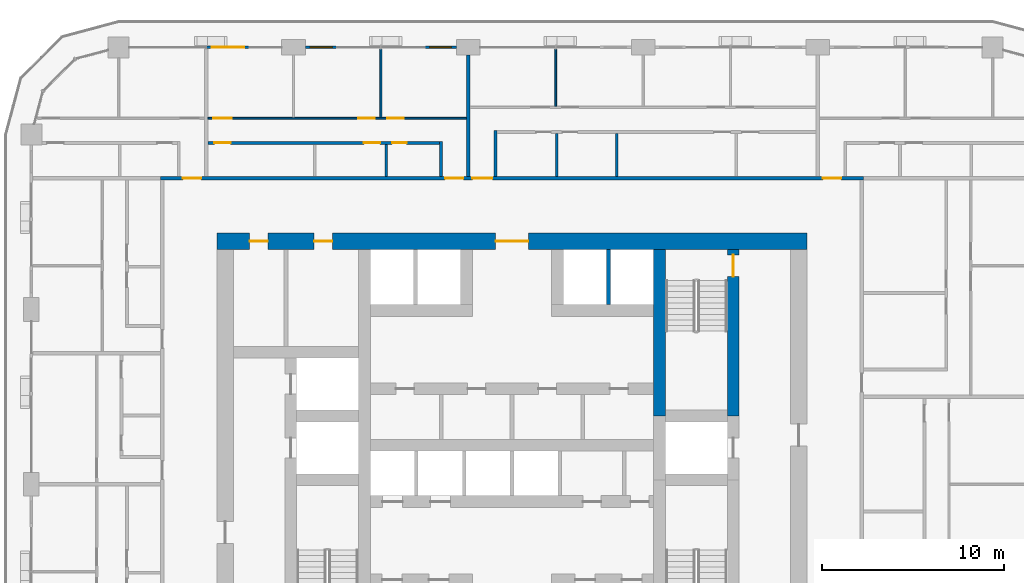
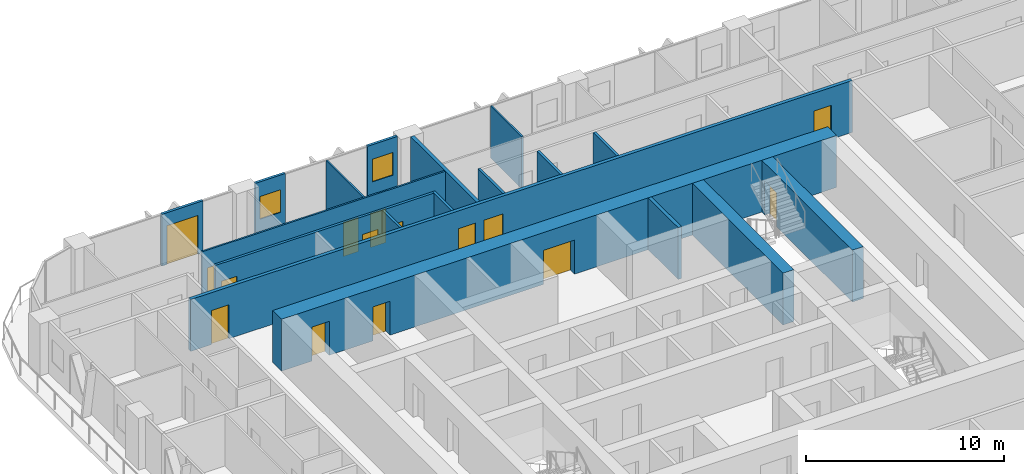
# One storey, part 14 of 22: 18 walls, 15 doors, 2 windows, 17 openings.
"""IFC4 building model written with IfcOpenShell, lengths in metres."""

import ifcopenshell
import ifcopenshell.guid

model = None  # the IFC model being written
_history = None  # IfcOwnerHistory: only IFC2X3 demands one
_inside = {}  # id of a spatial element -> (the spatial element, [elements in it])
_under = {}  # id of a project, library or spatial element -> (it, [spatial elements below it])
_declared = {}  # id of a project -> (the project, [libraries it declares])
_typed = {}  # id of a type object -> (the type object, [elements of that type])
_made_of = {}  # id of a material, layer set ... -> (it, [elements and type objects made of it])


def new_model(schema):
    """Start an empty IFC model of exactly this schema.

    Asked for "IFC4X3", IfcOpenShell would pick the latest addendum, in which some entities
    have other attributes; the version numbers below select the first issue.
    IFC2X3 requires an IfcOwnerHistory on every rooted entity: one is made here for all.
    """
    global model, _history
    if schema == "IFC4X3":
        model = ifcopenshell.file(schema_version=(4, 3, 0, 0))
    else:
        model = ifcopenshell.file(schema=schema)
    _inside.clear()
    _under.clear()
    _declared.clear()
    _typed.clear()
    _made_of.clear()
    _history = None
    if model.schema == "IFC2X3":
        org = make("IfcOrganization", Name="unknown")
        user = make(
            "IfcPersonAndOrganization",
            ThePerson=make("IfcPerson", FamilyName="unknown"),
            TheOrganization=org,
        )
        app = make(
            "IfcApplication",
            ApplicationDeveloper=org,
            Version="unknown",
            ApplicationFullName="unknown",
            ApplicationIdentifier="unknown",
        )
        _history = make(
            "IfcOwnerHistory",
            OwningUser=user,
            OwningApplication=app,
            ChangeAction="ADDED",
            CreationDate=0,
        )
    return model


def make(cls, **values):
    """One entity of the class cls with the attributes given. An attribute that is None is left unset."""
    return model.create_entity(
        cls, **{name: value for name, value in values.items() if value is not None}
    )


def rooted(cls, **values):
    """An entity with a GlobalId (a new one), such as an element, a storey or a relation."""
    return make(cls, GlobalId=ifcopenshell.guid.new(), OwnerHistory=_history, **values)


def si_unit(unit_type, name, prefix=None):
    """IfcSIUnit, for example si_unit("LENGTHUNIT", "METRE", prefix="MILLI")."""
    return make("IfcSIUnit", UnitType=unit_type, Prefix=prefix, Name=name)


def assignment(units):
    """IfcUnitAssignment: the units of a project."""
    return None if units is None else make("IfcUnitAssignment", Units=units)


def point(xyz):
    """IfcCartesianPoint."""
    return None if xyz is None else make("IfcCartesianPoint", Coordinates=xyz)


def direction(xyz):
    """IfcDirection."""
    return None if xyz is None else make("IfcDirection", DirectionRatios=xyz)


def frame(location, z_axis=None, x_axis=None):
    """IfcAxis2Placement3D, a coordinate frame: its origin and axes. An axis left out is left unset."""
    return make(
        "IfcAxis2Placement3D",
        Location=point(location),
        Axis=direction(z_axis),
        RefDirection=direction(x_axis),
    )


def frame_2d(location, x_axis=None):
    """IfcAxis2Placement2D, a coordinate frame in the plane: its origin and x axis."""
    return make(
        "IfcAxis2Placement2D", Location=point(location), RefDirection=direction(x_axis)
    )


def origin():
    """The frame at (0, 0, 0) with its axes left unset."""
    return frame((0.0, 0.0, 0.0))


def place(relative_to, where):
    """IfcLocalPlacement: puts the frame where relative to a parent placement (None: the world)."""
    return make(
        "IfcLocalPlacement", PlacementRelTo=relative_to, RelativePlacement=where
    )


def context(
    kind, dimensions, precision=None, world=None, true_north=None, identifier=None
):
    """IfcGeometricRepresentationContext, for example the 3D "Model" context."""
    return make(
        "IfcGeometricRepresentationContext",
        ContextIdentifier=identifier,
        ContextType=kind,
        CoordinateSpaceDimension=dimensions,
        Precision=precision,
        WorldCoordinateSystem=world,
        TrueNorth=true_north,
    )


def subcontext(parent, identifier, kind, view, scale=None):
    """IfcGeometricRepresentationSubContext, for example "Body" below "Model"."""
    return make(
        "IfcGeometricRepresentationSubContext",
        ContextIdentifier=identifier,
        ContextType=kind,
        ParentContext=parent,
        TargetScale=scale,
        TargetView=view,
    )


def project(units=None, contexts=None):
    """IfcProject with its units and contexts."""
    return rooted(
        "IfcProject",
        Name="project",
        RepresentationContexts=contexts,
        UnitsInContext=assignment(units),
    )


def spatial(cls, under=None, at=None, **own):
    """A site, building, storey or space (cls), placed at a placement, below another one or the project."""
    s = rooted(cls, ObjectPlacement=at, **own)
    if under is not None:
        _under.setdefault(under.id(), (under, []))[1].append(s)
    return s


def profile(cls, at=None, kind="AREA", **sizes):
    """A parametric profile (cls). Its sizes go by their IFC names, for example OverallWidth=200.0."""
    return make(cls, ProfileType=kind, Position=at, **sizes)


def rectangle(**sizes):
    """IfcRectangleProfileDef."""
    return profile("IfcRectangleProfileDef", **sizes)


def extrude(swept, where, along, depth):
    """IfcExtrudedAreaSolid: the profile swept, set in the frame where, extruded along a direction by depth."""
    return make(
        "IfcExtrudedAreaSolid",
        SweptArea=swept,
        Position=where,
        ExtrudedDirection=direction(along),
        Depth=depth,
    )


def shape(context_of_items, identifier, shape_type, items):
    """IfcShapeRepresentation: the items that make up one representation, for example the "Body"."""
    return make(
        "IfcShapeRepresentation",
        ContextOfItems=context_of_items,
        RepresentationIdentifier=identifier,
        RepresentationType=shape_type,
        Items=items,
    )


def material(Name=None, Category=None):
    """IfcMaterial."""
    return make("IfcMaterial", Name=Name, Category=Category)


def layer(
    of_material, thickness, ventilated=None, Name=None, Category=None, Priority=None
):
    """IfcMaterialLayer: one layer of a wall or slab, of a material (None: an air gap)."""
    return make(
        "IfcMaterialLayer",
        Material=of_material,
        LayerThickness=thickness,
        IsVentilated=ventilated,
        Name=Name,
        Category=Category,
        Priority=Priority,
    )


def layer_set(layers, Name=None):
    """IfcMaterialLayerSet."""
    return make("IfcMaterialLayerSet", MaterialLayers=layers, LayerSetName=Name)


def made_of(thing, what):
    """Note that an element or type object is made of a material, layer set ...; save() writes the relation."""
    if what is not None:
        _made_of.setdefault(what.id(), (what, []))[1].append(thing)
    return thing


def type_object(cls, material=None, **own):
    """A type object (cls), such as IfcWallType, which elements share."""
    return made_of(rooted(cls, **own), material)


def element(
    cls,
    number,
    at=None,
    inside=None,
    cuts=None,
    type_object=None,
    material=None,
    context=None,
    identifier="Body",
    shape_type=None,
    held_by="IfcProductDefinitionShape",
    body=None,
    shapes=None,
    **own,
):
    """One element of the class cls, such as IfcWall. Its Tag is "e" and its number.

    at: its placement. inside: the storey or other place that contains it. cuts: it is an
    opening in that element (IfcRelVoidsElement). A single representation is given by context,
    identifier, shape_type and body (its items); several are given by shapes. held_by: the class
    of the entity that holds the representations. save() writes the other relations.
    """
    e = rooted(cls, Tag="e%d" % number, ObjectPlacement=at, **own)
    if body is not None:
        shapes = [shape(context, identifier, shape_type, body)]
    if shapes is not None:
        e.Representation = make(held_by, Representations=shapes)
    if inside is not None:
        _inside.setdefault(inside.id(), (inside, []))[1].append(e)
    if cuts is not None:
        rooted(
            "IfcRelVoidsElement", RelatingBuildingElement=cuts, RelatedOpeningElement=e
        )
    if type_object is not None:
        _typed.setdefault(type_object.id(), (type_object, []))[1].append(e)
    return made_of(e, material)


def fill(opening, filler):
    """IfcRelFillsElement: the door or window that sits in an opening."""
    return rooted(
        "IfcRelFillsElement",
        RelatingOpeningElement=opening,
        RelatedBuildingElement=filler,
    )


def aggregate(whole, parts):
    """IfcRelAggregates: a whole, such as a stair, and the parts it consists of."""
    return rooted("IfcRelAggregates", RelatingObject=whole, RelatedObjects=parts)


def save(model, path):
    """Write the relations noted so far, then the file.

    IfcRelAggregates (storeys below a building ...), IfcRelContainedInSpatialStructure (elements
    in a storey), IfcRelDefinesByType, IfcRelAssociatesMaterial and IfcRelDeclares: one each for
    every whole, place, type object, material and project.
    """
    for whole, parts in _under.values():
        aggregate(whole, parts)
    for where, things in _inside.values():
        rooted(
            "IfcRelContainedInSpatialStructure",
            RelatedElements=things,
            RelatingStructure=where,
        )
    for kind, things in _typed.values():
        rooted("IfcRelDefinesByType", RelatedObjects=things, RelatingType=kind)
    for what, things in _made_of.values():
        rooted("IfcRelAssociatesMaterial", RelatedObjects=things, RelatingMaterial=what)
    for by, libraries in _declared.values():
        rooted("IfcRelDeclares", RelatingContext=by, RelatedDefinitions=libraries)
    model.write(path)


model = new_model("IFC4")

# Units and contexts
model_context = context("Model", 3, precision=1e-05, world=origin(), true_north=direction((0.0, 1.0)))
body_context = subcontext(model_context, "Body", "Model", "MODEL_VIEW")
ifc_project = project(units=[si_unit("LENGTHUNIT", "METRE"), si_unit("AREAUNIT", "SQUARE_METRE"), si_unit("VOLUMEUNIT", "CUBIC_METRE"), si_unit("PLANEANGLEUNIT", "RADIAN"), si_unit("MASSUNIT", "GRAM", prefix="KILO")], contexts=[model_context])

# Site, building, storey
site_placement = place(None, origin())
site = spatial("IfcSite", under=ifc_project, at=site_placement, CompositionType="ELEMENT")
building_placement = place(site_placement, origin())
building = spatial("IfcBuilding", under=site, at=building_placement, Name="Madar Terraces", CompositionType="ELEMENT")
storey_placement = place(building_placement, frame((0.0, 0.0, 59.300048828125)))
storey = spatial("IfcBuildingStorey", under=building, at=storey_placement, Name="L14", CompositionType="ELEMENT", Elevation=59.300048828125)

# Wall
ifc_material_1 = material(Name="Concrete C80/95", Category="concrete")
ifc_layer_1 = layer(ifc_material_1, 0.64990234375)
ifc_layer_set_1 = layer_set([ifc_layer_1], Name="Concrete C80/95 (CIW2 RC wall 650)")
wall_type_1 = type_object("IfcWallType", Name="CIW2 RC wall 650", PredefinedType="SHEAR", material=ifc_layer_set_1)
wall_1_placement = place(storey_placement, frame((39.300048828125, 27.75, 0.0), z_axis=(0.0, 0.0, 1.0), x_axis=(0.0, 1.0, 0.0)))
element("IfcWall", 1, at=wall_1_placement, inside=storey, type_object=wall_type_1, Name="CORE SHAFT WALL", PredefinedType="SHEAR", context=body_context, shape_type="SweptSolid", body=[
    extrude(rectangle(XDim=9.14990234375, YDim=0.64990234375, at=frame_2d((4.574951171875, 0.0))), origin(), (0.0, 0.0, 1.0), 3.199951171875),
])

# Wall, opening, door
wall_2_placement = place(storey_placement, frame((43.35009765625, 27.75, 0.0), z_axis=(0.0, 0.0, 1.0), x_axis=(0.0, 1.0, 0.0)))
wall_2 = element("IfcWall", 2, at=wall_2_placement, inside=storey, type_object=wall_type_1, Name="CORE SHAFT WALL", PredefinedType="SHEAR", context=body_context, shape_type="SweptSolid", body=[
    extrude(rectangle(XDim=9.14990234375, YDim=0.64990234375, at=frame_2d((4.574951171875, 0.0))), origin(), (0.0, 0.0, 1.0), 3.199951171875),
])
opening_1_placement = place(wall_2_placement, frame((7.64990234375, 0.0, 0.0)))
opening_1 = element("IfcOpeningElement", 3, at=opening_1_placement, cuts=wall_2, Name="Opening SD1", PredefinedType="OPENING", context=body_context, shape_type="SweptSolid", body=[
    extrude(rectangle(XDim=1.199951171875, YDim=2.10009765625, at=frame_2d((0.60009765625, 1.050048828125))), frame((0.0, 0.3349609375, 0.0), z_axis=(0.0, -1.0, 0.0), x_axis=(1.0, 0.0, 0.0)), (0.0, 0.0, 1.0), 0.669921875),
])
ifc_material_2 = material(Name="Steel door leaf", Category="steel")
door_type_1 = type_object("IfcDoorType", Name="Stair door 1200 x 2100", OperationType="NOTDEFINED", PredefinedType="DOOR", material=ifc_material_2)
door_1_placement = place(opening_1_placement, origin())
door_1 = element("IfcDoor", 4, at=door_1_placement, inside=storey, type_object=door_type_1, Name="STAIR DOOR", OperationType="SINGLE_SWING_RIGHT", OverallHeight=2.10009765625, OverallWidth=1.199951171875, PredefinedType="DOOR", context=body_context, shape_type="SweptSolid", body=[
    extrude(rectangle(XDim=1.199951171875, YDim=2.10009765625, at=frame_2d((0.60009765625, 1.050048828125))), frame((0.0, 0.02490234375, 0.0), z_axis=(0.0, -1.0, 0.0), x_axis=(1.0, 0.0, 0.0)), (0.0, 0.0, 1.0), 0.050048828125),
])
fill(opening_1, door_1)

# Wall, openings, doors
ifc_material_3 = material(Name="Concrete C80/95", Category="concrete")
ifc_layer_2 = layer(ifc_material_3, 0.89990234375)
ifc_layer_set_2 = layer_set([ifc_layer_2], Name="Concrete C80/95 (CRW2 RC wall 900)")
wall_type_2 = type_object("IfcWallType", Name="CRW2 RC wall 900", PredefinedType="SHEAR", material=ifc_layer_set_2)
wall_3_placement = place(storey_placement, frame((15.0, 37.35009765625, 0.0), z_axis=(0.0, 0.0, 1.0), x_axis=(1.0, 0.0, 0.0)))
wall_3 = element("IfcWall", 5, at=wall_3_placement, inside=storey, type_object=wall_type_2, Name="CORE OUTER WALL", PredefinedType="SHEAR", context=body_context, shape_type="SweptSolid", body=[
    extrude(rectangle(XDim=32.39990234375, YDim=0.89990234375, at=frame_2d((16.199951171875, 0.0))), origin(), (0.0, 0.0, 1.0), 3.199951171875),
])
opening_2_placement = place(wall_3_placement, frame((15.300048828125, 0.0, 0.0)))
opening_2 = element("IfcOpeningElement", 6, at=opening_2_placement, cuts=wall_3, Name="Opening KD1", PredefinedType="OPENING", context=body_context, shape_type="SweptSolid", body=[
    extrude(rectangle(XDim=1.800048828125, YDim=2.10009765625, at=frame_2d((0.89990234375, 1.050048828125))), frame((0.0, 0.4599609375, 0.0), z_axis=(0.0, -1.0, 0.0), x_axis=(1.0, 0.0, 0.0)), (0.0, 0.0, 1.0), 0.919921875),
])
opening_3_placement = place(wall_3_placement, frame((1.793701171875, 0.0, 0.0)))
opening_3 = element("IfcOpeningElement", 7, at=opening_3_placement, cuts=wall_3, Name="Opening KD2", PredefinedType="OPENING", context=body_context, shape_type="SweptSolid", body=[
    extrude(rectangle(XDim=1.0, YDim=2.10009765625, at=frame_2d((0.5, 1.050048828125))), frame((0.0, 0.4599609375, 0.0), z_axis=(0.0, -1.0, 0.0), x_axis=(1.0, 0.0, 0.0)), (0.0, 0.0, 1.0), 0.919921875),
])
opening_4_placement = place(wall_3_placement, frame((5.331298828125, 0.0, 0.0)))
opening_4 = element("IfcOpeningElement", 8, at=opening_4_placement, cuts=wall_3, Name="Opening KD2", PredefinedType="OPENING", context=body_context, shape_type="SweptSolid", body=[
    extrude(rectangle(XDim=1.0, YDim=2.10009765625, at=frame_2d((0.5, 1.050048828125))), frame((0.0, 0.4599609375, 0.0), z_axis=(0.0, -1.0, 0.0), x_axis=(1.0, 0.0, 0.0)), (0.0, 0.0, 1.0), 0.919921875),
])
ifc_material_4 = material(Name="Steel door leaf", Category="steel")
door_type_2 = type_object("IfcDoorType", Name="Lobby door pair 1800 x 2100", OperationType="DOUBLE_DOOR_SINGLE_SWING", PredefinedType="DOOR", material=ifc_material_4)
door_2_placement = place(opening_2_placement, origin())
door_2 = element("IfcDoor", 9, at=door_2_placement, inside=storey, type_object=door_type_2, Name="LIFT LOBBY DOOR", OperationType="DOUBLE_DOOR_SINGLE_SWING", OverallHeight=2.10009765625, OverallWidth=1.800048828125, PredefinedType="DOOR", context=body_context, shape_type="SweptSolid", body=[
    extrude(rectangle(XDim=1.800048828125, YDim=2.10009765625, at=frame_2d((0.89990234375, 1.050048828125))), frame((0.0, 0.02490234375, 0.0), z_axis=(0.0, -1.0, 0.0), x_axis=(1.0, 0.0, 0.0)), (0.0, 0.0, 1.0), 0.050048828125),
])
fill(opening_2, door_2)
ifc_material_5 = material(Name="Steel door leaf", Category="steel")
door_type_3 = type_object("IfcDoorType", Name="Service room door 1000 x 2100", OperationType="NOTDEFINED", PredefinedType="DOOR", material=ifc_material_5)
door_3_placement = place(opening_3_placement, origin())
door_3 = element("IfcDoor", 10, at=door_3_placement, inside=storey, type_object=door_type_3, Name="SERVICE ROOM DOOR", OperationType="SINGLE_SWING_LEFT", OverallHeight=2.10009765625, OverallWidth=1.0, PredefinedType="DOOR", context=body_context, shape_type="SweptSolid", body=[
    extrude(rectangle(XDim=1.0, YDim=2.10009765625, at=frame_2d((0.5, 1.050048828125))), frame((0.0, 0.02490234375, 0.0), z_axis=(0.0, -1.0, 0.0), x_axis=(1.0, 0.0, 0.0)), (0.0, 0.0, 1.0), 0.050048828125),
])
fill(opening_3, door_3)
door_4_placement = place(opening_4_placement, origin())
door_4 = element("IfcDoor", 11, at=door_4_placement, inside=storey, type_object=door_type_3, Name="SERVICE ROOM DOOR", OperationType="SINGLE_SWING_RIGHT", OverallHeight=2.10009765625, OverallWidth=1.0, PredefinedType="DOOR", context=body_context, shape_type="SweptSolid", body=[
    extrude(rectangle(XDim=1.0, YDim=2.10009765625, at=frame_2d((0.5, 1.050048828125))), frame((0.0, 0.02490234375, 0.0), z_axis=(0.0, -1.0, 0.0), x_axis=(1.0, 0.0, 0.0)), (0.0, 0.0, 1.0), 0.050048828125),
])
fill(opening_4, door_4)

# Wall
ifc_material_6 = material(Name="Concrete C40/50", Category="concrete")
ifc_layer_3 = layer(ifc_material_6, 0.199951171875)
ifc_layer_set_3 = layer_set([ifc_layer_3], Name="Core shaft dividing wall 200 C40/50")
wall_type_3 = type_object("IfcWallType", Name="Core shaft dividing wall 200 C40/50", PredefinedType="SOLIDWALL", material=ifc_layer_set_3)
wall_4_placement = place(storey_placement, frame((36.5, 33.875, 0.0), z_axis=(0.0, 0.0, 1.0), x_axis=(0.0, 1.0, 0.0)))
element("IfcWall", 12, at=wall_4_placement, inside=storey, type_object=wall_type_3, Name="SHAFT DIVIDING WALL", PredefinedType="SOLIDWALL", context=body_context, shape_type="SweptSolid", body=[
    extrude(rectangle(XDim=3.02490234375, YDim=0.199951171875, at=frame_2d((1.512451171875, 0.0))), origin(), (0.0, 0.0, 1.0), 3.199951171875),
])

# Wall, opening, window
ifc_material_7 = material(Name="Aluminium composite panel, black, over insulated backing", Category="aluminium")
ifc_layer_4 = layer(ifc_material_7, 0.14990234375)
ifc_layer_set_4 = layer_set([ifc_layer_4], Name="Facade bay panel 150")
wall_type_4 = type_object("IfcWallType", Name="Facade bay panel 150", PredefinedType="SOLIDWALL", material=ifc_layer_set_4)
wall_5_placement = place(storey_placement, frame((28.14990234375, 48.0, 0.0), z_axis=(0.0, 0.0, 1.0), x_axis=(-1.0, 0.0, 0.0)))
wall_5 = element("IfcWall", 13, at=wall_5_placement, inside=storey, type_object=wall_type_4, Name="Facade bay panel", PredefinedType="SOLIDWALL", context=body_context, shape_type="SweptSolid", body=[
    extrude(rectangle(XDim=1.75, YDim=0.14990234375, at=frame_2d((0.875, 0.0))), origin(), (0.0, 0.0, 1.0), 3.199951171875),
])
opening_5_placement = place(wall_5_placement, frame((0.27490234375, 0.0, 0.89990234375)))
opening_5 = element("IfcOpeningElement", 14, at=opening_5_placement, cuts=wall_5, Name="Opening W1", PredefinedType="OPENING", context=body_context, shape_type="SweptSolid", body=[
    extrude(rectangle(XDim=1.199951171875, YDim=1.39990234375, at=frame_2d((0.60009765625, 0.699951171875))), frame((0.0, 0.0849609375, 0.0), z_axis=(0.0, -1.0, 0.0), x_axis=(1.0, 0.0, 0.0)), (0.0, 0.0, 1.0), 0.169921875),
])
ifc_material_8 = material(Name="Glass, clear, with black aluminium frame", Category="aluminium")
window_type = type_object("IfcWindowType", Name="Vent window 1200 x 1400", PartitioningType="SINGLE_PANEL", PredefinedType="WINDOW", material=ifc_material_8)
window_1_placement = place(opening_5_placement, origin())
window_1 = element("IfcWindow", 15, at=window_1_placement, inside=storey, type_object=window_type, Name="Operable vent window", OverallHeight=1.39990234375, OverallWidth=1.199951171875, PartitioningType="SINGLE_PANEL", PredefinedType="WINDOW", context=body_context, shape_type="SweptSolid", body=[
    extrude(rectangle(XDim=1.199951171875, YDim=1.39990234375, at=frame_2d((0.60009765625, 0.699951171875))), frame((0.0, 0.030029296875, 0.0), z_axis=(0.0, -1.0, 0.0), x_axis=(1.0, 0.0, 0.0)), (0.0, 0.0, 1.0), 0.06005859375),
])
fill(opening_5, window_1)

wall_6_placement = place(storey_placement, frame((21.60009765625, 48.0, 0.0), z_axis=(0.0, 0.0, 1.0), x_axis=(-1.0, 0.0, 0.0)))
wall_6 = element("IfcWall", 16, at=wall_6_placement, inside=storey, type_object=wall_type_4, Name="Facade bay panel", PredefinedType="SOLIDWALL", context=body_context, shape_type="SweptSolid", body=[
    extrude(rectangle(XDim=1.75, YDim=0.14990234375, at=frame_2d((0.875, 0.0))), origin(), (0.0, 0.0, 1.0), 3.199951171875),
])
opening_6_placement = place(wall_6_placement, frame((0.27490234375, 0.0, 0.89990234375)))
opening_6 = element("IfcOpeningElement", 17, at=opening_6_placement, cuts=wall_6, Name="Opening W1", PredefinedType="OPENING", context=body_context, shape_type="SweptSolid", body=[
    extrude(rectangle(XDim=1.199951171875, YDim=1.39990234375, at=frame_2d((0.60009765625, 0.699951171875))), frame((0.0, 0.0849609375, 0.0), z_axis=(0.0, -1.0, 0.0), x_axis=(1.0, 0.0, 0.0)), (0.0, 0.0, 1.0), 0.169921875),
])
window_2_placement = place(opening_6_placement, origin())
window_2 = element("IfcWindow", 18, at=window_2_placement, inside=storey, type_object=window_type, Name="Operable vent window", OverallHeight=1.39990234375, OverallWidth=1.199951171875, PartitioningType="SINGLE_PANEL", PredefinedType="WINDOW", context=body_context, shape_type="SweptSolid", body=[
    extrude(rectangle(XDim=1.199951171875, YDim=1.39990234375, at=frame_2d((0.60009765625, 0.699951171875))), frame((0.0, 0.030029296875, 0.0), z_axis=(0.0, -1.0, 0.0), x_axis=(1.0, 0.0, 0.0)), (0.0, 0.0, 1.0), 0.06005859375),
])
fill(opening_6, window_2)

# Wall, opening, door
wall_7_placement = place(storey_placement, frame((16.800048828125, 48.0, 0.0), z_axis=(0.0, 0.0, 1.0), x_axis=(-1.0, 0.0, 0.0)))
wall_7 = element("IfcWall", 19, at=wall_7_placement, inside=storey, type_object=wall_type_4, Name="Facade bay panel", PredefinedType="SOLIDWALL", context=body_context, shape_type="SweptSolid", body=[
    extrude(rectangle(XDim=2.400146484375, YDim=0.14990234375, at=frame_2d((1.2001953125, 0.0))), origin(), (0.0, 0.0, 1.0), 3.199951171875),
])
opening_7_placement = place(wall_7_placement, frame((0.300048828125, 0.0, 0.0)))
opening_7 = element("IfcOpeningElement", 20, at=opening_7_placement, cuts=wall_7, Name="Opening ED1", PredefinedType="OPENING", context=body_context, shape_type="SweptSolid", body=[
    extrude(rectangle(XDim=1.800048828125, YDim=2.39990234375, at=frame_2d((0.89990234375, 1.199951171875))), frame((0.0, 0.0849609375, 0.0), z_axis=(0.0, -1.0, 0.0), x_axis=(1.0, 0.0, 0.0)), (0.0, 0.0, 1.0), 0.169921875),
])
ifc_material_9 = material(Name="Glass, clear, with black aluminium frame", Category="aluminium")
door_type_4 = type_object("IfcDoorType", Name="Balcony and terrace sliding door 1800 x 2400", OperationType="SLIDING_TO_LEFT", PredefinedType="DOOR", material=ifc_material_9)
door_5_placement = place(opening_7_placement, origin())
door_5 = element("IfcDoor", 21, at=door_5_placement, inside=storey, type_object=door_type_4, Name="Balcony door", OperationType="SLIDING_TO_LEFT", OverallHeight=2.39990234375, OverallWidth=1.800048828125, PredefinedType="DOOR", context=body_context, shape_type="SweptSolid", body=[
    extrude(rectangle(XDim=1.800048828125, YDim=2.39990234375, at=frame_2d((0.89990234375, 1.199951171875))), frame((0.0, 0.02490234375, 0.0), z_axis=(0.0, -1.0, 0.0), x_axis=(1.0, 0.0, 0.0)), (0.0, 0.0, 1.0), 0.050048828125),
])
fill(opening_7, door_5)

# Walls
ifc_material_10 = material(Name="Gypsum board on steel studs", Category="steel")
ifc_layer_5 = layer(ifc_material_10, 0.10009765625)
ifc_layer_set_5 = layer_set([ifc_layer_5], Name="Flat partition 100")
wall_type_5 = type_object("IfcWallType", Name="Flat partition 100", PredefinedType="PARTITIONING", material=ifc_layer_set_5)
wall_8_placement = place(storey_placement, frame((33.60009765625, 44.75, 0.0), z_axis=(0.0, 0.0, 1.0), x_axis=(0.0, 1.0, 0.0)))
element("IfcWall", 22, at=wall_8_placement, inside=storey, type_object=wall_type_5, Name="Flat partition 100", PredefinedType="PARTITIONING", context=body_context, shape_type="SweptSolid", body=[
    extrude(rectangle(XDim=3.14990234375, YDim=0.10009765625, at=frame_2d((1.574951171875, 0.0))), origin(), (0.0, 0.0, 1.0), 3.199951171875),
])
wall_9_placement = place(storey_placement, frame((24.0, 44.14990234375, 0.0), z_axis=(0.0, 0.0, 1.0), x_axis=(0.0, 1.0, 0.0)))
element("IfcWall", 23, at=wall_9_placement, inside=storey, type_object=wall_type_5, Name="Flat partition 100", PredefinedType="PARTITIONING", context=body_context, shape_type="SweptSolid", body=[
    extrude(rectangle(XDim=3.75, YDim=0.10009765625, at=frame_2d((1.875, 0.0))), origin(), (0.0, 0.0, 1.0), 3.199951171875),
])

# Wall, openings, doors
wall_10_placement = place(storey_placement, frame((14.5, 44.10009765625, 0.0), z_axis=(0.0, 0.0, 1.0), x_axis=(1.0, 0.0, 0.0)))
wall_10 = element("IfcWall", 24, at=wall_10_placement, inside=storey, type_object=wall_type_5, Name="Flat partition 100", PredefinedType="PARTITIONING", context=body_context, shape_type="SweptSolid", body=[
    extrude(rectangle(XDim=14.199951171875, YDim=0.10009765625, at=frame_2d((7.10009765625, 0.0))), origin(), (0.0, 0.0, 1.0), 3.199951171875),
])
opening_8_placement = place(wall_10_placement, frame((9.85009765625, 0.0, 0.0)))
opening_8 = element("IfcOpeningElement", 25, at=opening_8_placement, cuts=wall_10, Name="Opening D2", PredefinedType="OPENING", context=body_context, shape_type="SweptSolid", body=[
    extrude(rectangle(XDim=0.89990234375, YDim=2.10009765625, at=frame_2d((0.449951171875, 1.050048828125))), frame((0.0, 0.06005859375, 0.0), z_axis=(0.0, -1.0, 0.0), x_axis=(1.0, 0.0, 0.0)), (0.0, 0.0, 1.0), 0.1201171875),
])
opening_9_placement = place(wall_10_placement, frame((8.25, 0.0, 0.0)))
opening_9 = element("IfcOpeningElement", 26, at=opening_9_placement, cuts=wall_10, Name="Opening D2", PredefinedType="OPENING", context=body_context, shape_type="SweptSolid", body=[
    extrude(rectangle(XDim=0.89990234375, YDim=2.10009765625, at=frame_2d((0.449951171875, 1.050048828125))), frame((0.0, 0.06005859375, 0.0), z_axis=(0.0, -1.0, 0.0), x_axis=(1.0, 0.0, 0.0)), (0.0, 0.0, 1.0), 0.1201171875),
])
opening_10_placement = place(wall_10_placement, frame((0.300048828125, 0.0, 0.0)))
opening_10 = element("IfcOpeningElement", 27, at=opening_10_placement, cuts=wall_10, Name="Opening D3", PredefinedType="OPENING", context=body_context, shape_type="SweptSolid", body=[
    extrude(rectangle(XDim=1.0, YDim=2.10009765625, at=frame_2d((0.5, 1.050048828125))), frame((0.0, 0.06005859375, 0.0), z_axis=(0.0, -1.0, 0.0), x_axis=(1.0, 0.0, 0.0)), (0.0, 0.0, 1.0), 0.1201171875),
])
ifc_material_11 = material(Name="Timber door leaf", Category="wood")
door_type_5 = type_object("IfcDoorType", Name="Flat living room door 1000", OperationType="NOTDEFINED", PredefinedType="DOOR", material=ifc_material_11)
door_6_placement = place(opening_10_placement, origin())
door_6 = element("IfcDoor", 28, at=door_6_placement, inside=storey, type_object=door_type_5, Name="Flat living room door 1000", OperationType="SINGLE_SWING_LEFT", OverallHeight=2.10009765625, OverallWidth=1.0, PredefinedType="DOOR", context=body_context, shape_type="SweptSolid", body=[
    extrude(rectangle(XDim=1.0, YDim=2.10009765625, at=frame_2d((0.5, 1.050048828125))), frame((0.0, 0.02490234375, 0.0), z_axis=(0.0, -1.0, 0.0), x_axis=(1.0, 0.0, 0.0)), (0.0, 0.0, 1.0), 0.050048828125),
])
fill(opening_10, door_6)
ifc_material_12 = material(Name="Timber door leaf", Category="wood")
door_type_6 = type_object("IfcDoorType", Name="Flat room door 900", OperationType="NOTDEFINED", PredefinedType="DOOR", material=ifc_material_12)
door_7_placement = place(opening_8_placement, origin())
door_7 = element("IfcDoor", 29, at=door_7_placement, inside=storey, type_object=door_type_6, Name="Flat room door 900", OperationType="SINGLE_SWING_LEFT", OverallHeight=2.10009765625, OverallWidth=0.89990234375, PredefinedType="DOOR", context=body_context, shape_type="SweptSolid", body=[
    extrude(rectangle(XDim=0.89990234375, YDim=2.10009765625, at=frame_2d((0.449951171875, 1.050048828125))), frame((0.0, 0.02490234375, 0.0), z_axis=(0.0, -1.0, 0.0), x_axis=(1.0, 0.0, 0.0)), (0.0, 0.0, 1.0), 0.050048828125),
])
fill(opening_8, door_7)
door_8_placement = place(opening_9_placement, origin())
door_8 = element("IfcDoor", 30, at=door_8_placement, inside=storey, type_object=door_type_6, Name="Flat room door 900", OperationType="SINGLE_SWING_RIGHT", OverallHeight=2.10009765625, OverallWidth=0.89990234375, PredefinedType="DOOR", context=body_context, shape_type="SweptSolid", body=[
    extrude(rectangle(XDim=0.89990234375, YDim=2.10009765625, at=frame_2d((0.449951171875, 1.050048828125))), frame((0.0, 0.02490234375, 0.0), z_axis=(0.0, -1.0, 0.0), x_axis=(1.0, 0.0, 0.0)), (0.0, 0.0, 1.0), 0.050048828125),
])
fill(opening_9, door_8)

ifc_material_13 = material(Name="Lightweight blockwork", Category="masonry")
ifc_layer_6 = layer(ifc_material_13, 0.199951171875)
ifc_layer_set_6 = layer_set([ifc_layer_6], Name="Flat party and entrance wall 200")
wall_type_6 = type_object("IfcWallType", Name="Flat party and entrance wall 200", PredefinedType="PARTITIONING", material=ifc_layer_set_6)
wall_11_placement = place(storey_placement, frame((11.89990234375, 40.800048828125, 0.0), z_axis=(0.0, 0.0, 1.0), x_axis=(1.0, 0.0, 0.0)))
wall_11 = element("IfcWall", 31, at=wall_11_placement, inside=storey, type_object=wall_type_6, Name="Flat party and entrance wall 200", PredefinedType="PARTITIONING", context=body_context, shape_type="SweptSolid", body=[
    extrude(rectangle(XDim=38.60009765625, YDim=0.199951171875, at=frame_2d((19.300048828125, 0.0))), origin(), (0.0, 0.0, 1.0), 3.199951171875),
])
opening_11_placement = place(wall_11_placement, frame((36.375, 0.0, 0.0)))
opening_11 = element("IfcOpeningElement", 32, at=opening_11_placement, cuts=wall_11, Name="Opening D1", PredefinedType="OPENING", context=body_context, shape_type="SweptSolid", body=[
    extrude(rectangle(XDim=1.0, YDim=2.10009765625, at=frame_2d((0.5, 1.050048828125))), frame((0.0, 0.10986328125, 0.0), z_axis=(0.0, -1.0, 0.0), x_axis=(1.0, 0.0, 0.0)), (0.0, 0.0, 1.0), 0.219970703125),
])
opening_12_placement = place(wall_11_placement, frame((17.125, 0.0, 0.0)))
opening_12 = element("IfcOpeningElement", 33, at=opening_12_placement, cuts=wall_11, Name="Opening D6", PredefinedType="OPENING", context=body_context, shape_type="SweptSolid", body=[
    extrude(rectangle(XDim=1.10009765625, YDim=2.10009765625, at=frame_2d((0.550048828125, 1.050048828125))), frame((0.0, 0.10986328125, 0.0), z_axis=(0.0, -1.0, 0.0), x_axis=(1.0, 0.0, 0.0)), (0.0, 0.0, 1.0), 0.219970703125),
])
opening_13_placement = place(wall_11_placement, frame((15.625, 0.0, 0.0)))
opening_13 = element("IfcOpeningElement", 34, at=opening_13_placement, cuts=wall_11, Name="Opening D1", PredefinedType="OPENING", context=body_context, shape_type="SweptSolid", body=[
    extrude(rectangle(XDim=1.0, YDim=2.10009765625, at=frame_2d((0.5, 1.050048828125))), frame((0.0, 0.10986328125, 0.0), z_axis=(0.0, -1.0, 0.0), x_axis=(1.0, 0.0, 0.0)), (0.0, 0.0, 1.0), 0.219970703125),
])
opening_14_placement = place(wall_11_placement, frame((1.22509765625, 0.0, 0.0)))
opening_14 = element("IfcOpeningElement", 35, at=opening_14_placement, cuts=wall_11, Name="Opening D1", PredefinedType="OPENING", context=body_context, shape_type="SweptSolid", body=[
    extrude(rectangle(XDim=1.0, YDim=2.10009765625, at=frame_2d((0.5, 1.050048828125))), frame((0.0, 0.10986328125, 0.0), z_axis=(0.0, -1.0, 0.0), x_axis=(1.0, 0.0, 0.0)), (0.0, 0.0, 1.0), 0.219970703125),
])
ifc_material_14 = material(Name="Timber fire door leaf", Category="wood")
door_type_7 = type_object("IfcDoorType", Name="Flat entrance door 1000 FD30S", OperationType="NOTDEFINED", PredefinedType="DOOR", material=ifc_material_14)
door_9_placement = place(opening_11_placement, origin())
door_9 = element("IfcDoor", 36, at=door_9_placement, inside=storey, type_object=door_type_7, Name="Flat entrance door 1000 FD30S", OperationType="SINGLE_SWING_LEFT", OverallHeight=2.10009765625, OverallWidth=1.0, PredefinedType="DOOR", context=body_context, shape_type="SweptSolid", body=[
    extrude(rectangle(XDim=1.0, YDim=2.10009765625, at=frame_2d((0.5, 1.050048828125))), frame((0.0, 0.02490234375, 0.0), z_axis=(0.0, -1.0, 0.0), x_axis=(1.0, 0.0, 0.0)), (0.0, 0.0, 1.0), 0.050048828125),
])
fill(opening_11, door_9)
door_10_placement = place(opening_13_placement, origin())
door_10 = element("IfcDoor", 37, at=door_10_placement, inside=storey, type_object=door_type_7, Name="Flat entrance door 1000 FD30S", OperationType="SINGLE_SWING_RIGHT", OverallHeight=2.10009765625, OverallWidth=1.0, PredefinedType="DOOR", context=body_context, shape_type="SweptSolid", body=[
    extrude(rectangle(XDim=1.0, YDim=2.10009765625, at=frame_2d((0.5, 1.050048828125))), frame((0.0, 0.02490234375, 0.0), z_axis=(0.0, -1.0, 0.0), x_axis=(1.0, 0.0, 0.0)), (0.0, 0.0, 1.0), 0.050048828125),
])
fill(opening_13, door_10)
door_11_placement = place(opening_14_placement, origin())
door_11 = element("IfcDoor", 38, at=door_11_placement, inside=storey, type_object=door_type_7, Name="Flat entrance door 1000 FD30S", OperationType="SINGLE_SWING_RIGHT", OverallHeight=2.10009765625, OverallWidth=1.0, PredefinedType="DOOR", context=body_context, shape_type="SweptSolid", body=[
    extrude(rectangle(XDim=1.0, YDim=2.10009765625, at=frame_2d((0.5, 1.050048828125))), frame((0.0, 0.02490234375, 0.0), z_axis=(0.0, -1.0, 0.0), x_axis=(1.0, 0.0, 0.0)), (0.0, 0.0, 1.0), 0.050048828125),
])
fill(opening_14, door_11)
ifc_material_15 = material(Name="Timber fire door leaf", Category="wood")
door_type_8 = type_object("IfcDoorType", Name="Flat entrance door 1100 FD30S", OperationType="NOTDEFINED", PredefinedType="DOOR", material=ifc_material_15)
door_12_placement = place(opening_12_placement, origin())
door_12 = element("IfcDoor", 39, at=door_12_placement, inside=storey, type_object=door_type_8, Name="Flat entrance door 1100 FD30S", OperationType="SINGLE_SWING_LEFT", OverallHeight=2.10009765625, OverallWidth=1.10009765625, PredefinedType="DOOR", context=body_context, shape_type="SweptSolid", body=[
    extrude(rectangle(XDim=1.10009765625, YDim=2.10009765625, at=frame_2d((0.550048828125, 1.050048828125))), frame((0.0, 0.02490234375, 0.0), z_axis=(0.0, -1.0, 0.0), x_axis=(1.0, 0.0, 0.0)), (0.0, 0.0, 1.0), 0.050048828125),
])
fill(opening_12, door_12)

# Walls
wall_12_placement = place(storey_placement, frame((28.800048828125, 47.574951171875, 0.0), z_axis=(0.0, 0.0, 1.0), x_axis=(0.0, -1.0, 0.0)))
element("IfcWall", 40, at=wall_12_placement, inside=storey, type_object=wall_type_6, Name="Flat party and entrance wall 200", PredefinedType="PARTITIONING", context=body_context, shape_type="SweptSolid", body=[
    extrude(rectangle(XDim=6.675048828125, YDim=0.199951171875, at=frame_2d((3.33740234375, 0.0))), origin(), (0.0, 0.0, 1.0), 3.199951171875),
])
ifc_material_16 = material(Name="Lightweight blockwork", Category="masonry")
ifc_layer_7 = layer(ifc_material_16, 0.14990234375)
ifc_layer_set_7 = layer_set([ifc_layer_7], Name="Flat wet-room partition 150")
wall_type_7 = type_object("IfcWallType", Name="Flat wet-room partition 150", PredefinedType="PARTITIONING", material=ifc_layer_set_7)
for number, where, z_axis, x_axis, name in (
    (41, (33.660888671875, 40.89990234375, 0.0), (0.0, 0.0, 1.0), (0.0, 1.0, 0.0), "Flat wet-room partition 150"),
    (42, (36.94677734375, 40.89990234375, 0.0), (0.0, 0.0, 1.0), (0.0, 1.0, 0.0), "Flat wet-room partition 150"),
):
    element("IfcWall", number, at=place(storey_placement, frame(where, z_axis=z_axis, x_axis=x_axis)), inside=storey, type_object=wall_type_7, Name=name, PredefinedType="PARTITIONING", context=body_context, shape_type="SweptSolid", body=[
        extrude(rectangle(XDim=2.375, YDim=0.14990234375, at=frame_2d((1.1875, 0.0))), origin(), (0.0, 0.0, 1.0), 3.199951171875),
    ])
wall_13_placement = place(storey_placement, frame((30.300048828125, 40.89990234375, 0.0), z_axis=(0.0, 0.0, 1.0), x_axis=(0.0, 1.0, 0.0)))
element("IfcWall", 43, at=wall_13_placement, inside=storey, type_object=wall_type_7, Name="Flat wet-room partition 150", PredefinedType="PARTITIONING", context=body_context, shape_type="SweptSolid", body=[
    extrude(rectangle(XDim=2.525146484375, YDim=0.14990234375, at=frame_2d((1.2626953125, 0.0))), origin(), (0.0, 0.0, 1.0), 3.199951171875),
])
wall_14_placement = place(storey_placement, frame((24.28857421875, 40.89990234375, 0.0), z_axis=(0.0, 0.0, 1.0), x_axis=(0.0, 1.0, 0.0)))
element("IfcWall", 44, at=wall_14_placement, inside=storey, type_object=wall_type_7, Name="Flat wet-room partition 150", PredefinedType="PARTITIONING", context=body_context, shape_type="SweptSolid", body=[
    extrude(rectangle(XDim=1.775146484375, YDim=0.14990234375, at=frame_2d((0.8876953125, 0.0))), origin(), (0.0, 0.0, 1.0), 3.199951171875),
])
wall_15_placement = place(storey_placement, frame((27.300048828125, 40.89990234375, 0.0), z_axis=(0.0, 0.0, 1.0), x_axis=(0.0, 1.0, 0.0)))
element("IfcWall", 45, at=wall_15_placement, inside=storey, type_object=wall_type_7, Name="Flat wet-room partition 150", PredefinedType="PARTITIONING", context=body_context, shape_type="SweptSolid", body=[
    extrude(rectangle(XDim=1.925048828125, YDim=0.14990234375, at=frame_2d((0.96240234375, 0.0))), origin(), (0.0, 0.0, 1.0), 3.199951171875),
])

# Wall, openings, doors
wall_16_placement = place(storey_placement, frame((27.22509765625, 42.75, 0.0), z_axis=(0.0, 0.0, 1.0), x_axis=(-1.0, 0.0, 0.0)))
wall_16 = element("IfcWall", 46, at=wall_16_placement, inside=storey, type_object=wall_type_7, Name="Flat wet-room partition 150", PredefinedType="PARTITIONING", context=body_context, shape_type="SweptSolid", body=[
    extrude(rectangle(XDim=12.72509765625, YDim=0.14990234375, at=frame_2d((6.362548828125, 0.0))), origin(), (0.0, 0.0, 1.0), 3.199951171875),
])
opening_15_placement = place(wall_16_placement, frame((1.8115234375, 0.0, 0.0)))
opening_15 = element("IfcOpeningElement", 47, at=opening_15_placement, cuts=wall_16, Name="Opening D4", PredefinedType="OPENING", context=body_context, shape_type="SweptSolid", body=[
    extrude(rectangle(XDim=0.800048828125, YDim=2.10009765625, at=frame_2d((0.39990234375, 1.050048828125))), frame((0.0, 0.0849609375, 0.0), z_axis=(0.0, -1.0, 0.0), x_axis=(1.0, 0.0, 0.0)), (0.0, 0.0, 1.0), 0.169921875),
])
opening_16_placement = place(wall_16_placement, frame((3.261474609375, 0.0, 0.0)))
opening_16 = element("IfcOpeningElement", 48, at=opening_16_placement, cuts=wall_16, Name="Opening D5", PredefinedType="OPENING", context=body_context, shape_type="SweptSolid", body=[
    extrude(rectangle(XDim=0.89990234375, YDim=2.10009765625, at=frame_2d((0.449951171875, 1.050048828125))), frame((0.0, 0.0849609375, 0.0), z_axis=(0.0, -1.0, 0.0), x_axis=(1.0, 0.0, 0.0)), (0.0, 0.0, 1.0), 0.169921875),
])
opening_17_placement = place(wall_16_placement, frame((11.47509765625, 0.0, 0.0)))
opening_17 = element("IfcOpeningElement", 49, at=opening_17_placement, cuts=wall_16, Name="Opening D2", PredefinedType="OPENING", context=body_context, shape_type="SweptSolid", body=[
    extrude(rectangle(XDim=0.89990234375, YDim=2.10009765625, at=frame_2d((0.449951171875, 1.050048828125))), frame((0.0, 0.0849609375, 0.0), z_axis=(0.0, -1.0, 0.0), x_axis=(1.0, 0.0, 0.0)), (0.0, 0.0, 1.0), 0.169921875),
])
ifc_material_17 = material(Name="Timber door leaf", Category="wood")
door_type_9 = type_object("IfcDoorType", Name="Flat accessible bathroom door 900", OperationType="NOTDEFINED", PredefinedType="DOOR", material=ifc_material_17)
door_13_placement = place(opening_16_placement, origin())
door_13 = element("IfcDoor", 50, at=door_13_placement, inside=storey, type_object=door_type_9, Name="Flat accessible bathroom door 900", OperationType="SINGLE_SWING_LEFT", OverallHeight=2.10009765625, OverallWidth=0.89990234375, PredefinedType="DOOR", context=body_context, shape_type="SweptSolid", body=[
    extrude(rectangle(XDim=0.89990234375, YDim=2.10009765625, at=frame_2d((0.449951171875, 1.050048828125))), frame((0.0, 0.02490234375, 0.0), z_axis=(0.0, -1.0, 0.0), x_axis=(1.0, 0.0, 0.0)), (0.0, 0.0, 1.0), 0.050048828125),
])
fill(opening_16, door_13)
ifc_material_18 = material(Name="Timber door leaf", Category="wood")
door_type_10 = type_object("IfcDoorType", Name="Flat bathroom door 800", OperationType="NOTDEFINED", PredefinedType="DOOR", material=ifc_material_18)
door_14_placement = place(opening_15_placement, origin())
door_14 = element("IfcDoor", 51, at=door_14_placement, inside=storey, type_object=door_type_10, Name="Flat bathroom door 800", OperationType="SINGLE_SWING_RIGHT", OverallHeight=2.10009765625, OverallWidth=0.800048828125, PredefinedType="DOOR", context=body_context, shape_type="SweptSolid", body=[
    extrude(rectangle(XDim=0.800048828125, YDim=2.10009765625, at=frame_2d((0.39990234375, 1.050048828125))), frame((0.0, 0.02490234375, 0.0), z_axis=(0.0, -1.0, 0.0), x_axis=(1.0, 0.0, 0.0)), (0.0, 0.0, 1.0), 0.050048828125),
])
fill(opening_15, door_14)
door_15_placement = place(opening_17_placement, origin())
door_15 = element("IfcDoor", 52, at=door_15_placement, inside=storey, type_object=door_type_6, Name="Flat room door 900", OperationType="SINGLE_SWING_RIGHT", OverallHeight=2.10009765625, OverallWidth=0.89990234375, PredefinedType="DOOR", context=body_context, shape_type="SweptSolid", body=[
    extrude(rectangle(XDim=0.89990234375, YDim=2.10009765625, at=frame_2d((0.449951171875, 1.050048828125))), frame((0.0, 0.02490234375, 0.0), z_axis=(0.0, -1.0, 0.0), x_axis=(1.0, 0.0, 0.0)), (0.0, 0.0, 1.0), 0.050048828125),
])
fill(opening_17, door_15)

save(model, "model.ifc")
